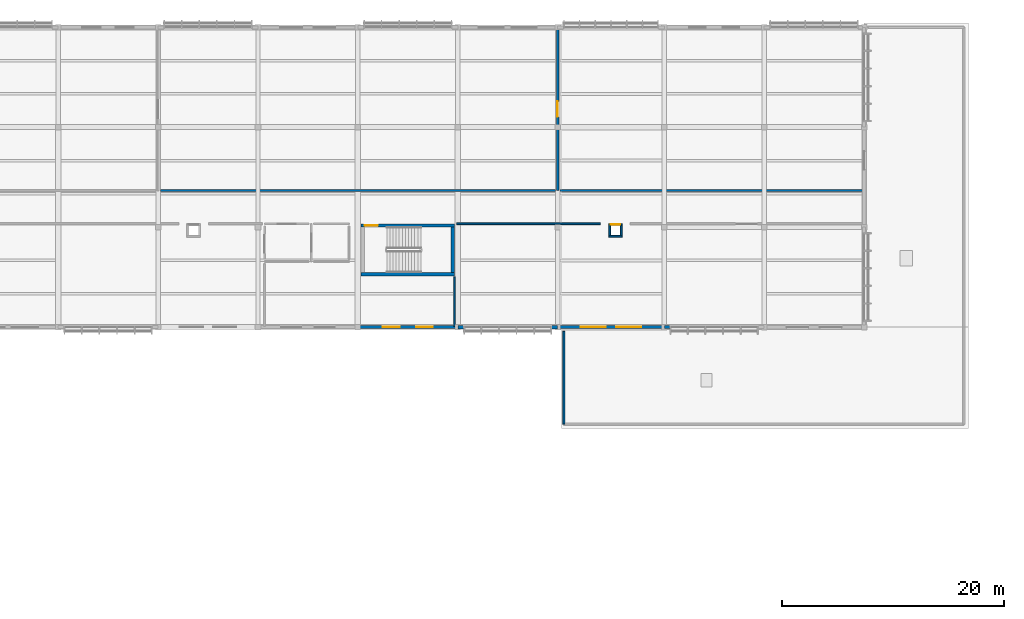
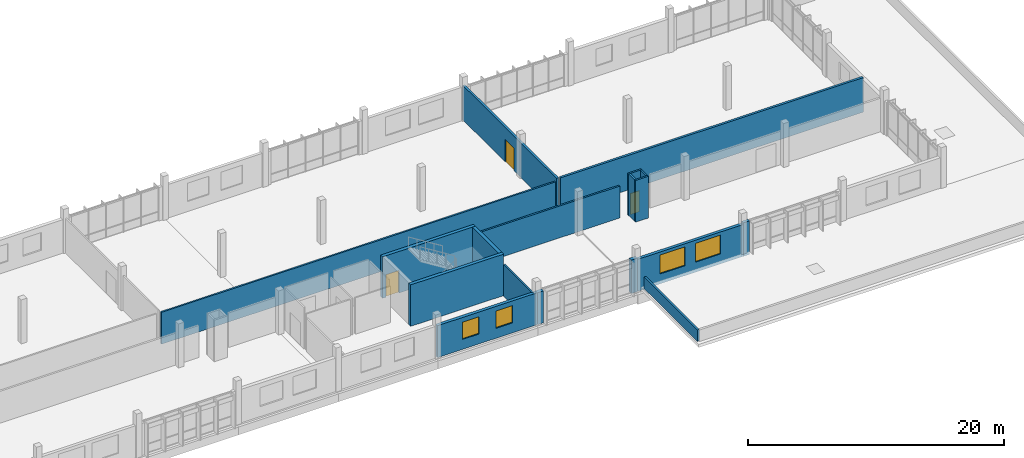
# One storey, part 95 of 107: 18 walls, 4 windows, 3 doors, 7 openings.
"""IFC4 building model written with IfcOpenShell, lengths in metres."""

from ifc_helpers import new_model, si_unit, direction, frame, frame_2d, origin, place, context, subcontext, project, spatial, rectangle, extrude, material, layer, layer_set, type_object, element, fill, save


model = new_model("IFC4")

# Units and contexts
model_context = context("Model", 3, precision=1e-05, world=origin(), true_north=direction((0.0, 1.0)))
body_context = subcontext(model_context, "Body", "Model", "MODEL_VIEW")
ifc_project = project(units=[si_unit("LENGTHUNIT", "METRE"), si_unit("AREAUNIT", "SQUARE_METRE"), si_unit("VOLUMEUNIT", "CUBIC_METRE"), si_unit("PLANEANGLEUNIT", "RADIAN"), si_unit("MASSUNIT", "GRAM", prefix="KILO")], contexts=[model_context])

# Site, building, storey
site_placement = place(None, origin())
site = spatial("IfcSite", under=ifc_project, at=site_placement, CompositionType="ELEMENT")
building_placement = place(site_placement, origin())
building = spatial("IfcBuilding", under=site, at=building_placement, Name="Chiffa Square Polytechnic", CompositionType="ELEMENT")
storey_placement = place(building_placement, frame((0.0, 0.0, 13.800048828125)))
storey = spatial("IfcBuildingStorey", under=building, at=storey_placement, Name="L03", CompositionType="ELEMENT", Elevation=13.800048828125)

# Wall
ifc_material_1 = material(Name="Concrete C40/50", Category="concrete")
ifc_layer_1 = layer(ifc_material_1, 0.300048828125, Name="Concrete C40/50")
ifc_layer_set_1 = layer_set([ifc_layer_1], Name="Concrete C40/50")
wall_type_1 = type_object("IfcWallType", Name="WL-CORE-300", PredefinedType="SHEAR", material=ifc_layer_set_1)
wall_1_placement = place(storey_placement, frame((93.89990234375, 108.550048828125, 0.0), z_axis=(0.0, 0.0, 1.0), x_axis=(1.0, 0.0, 0.0)))
element("IfcWall", 1, at=wall_1_placement, inside=storey, type_object=wall_type_1, Name="Core or enclosure wall WC-CORE-V5B-L03-SOUTH", PredefinedType="SHEAR", context=body_context, shape_type="SweptSolid", body=[
    extrude(rectangle(XDim=8.400146484375, YDim=0.300048828125, at=frame_2d((4.2001953125, 0.0))), origin(), (0.0, 0.0, 1.0), 3.9599609375),
])

# Wall, opening, door
wall_2_placement = place(storey_placement, frame((93.89990234375, 112.949951171875, 0.0), z_axis=(0.0, 0.0, 1.0), x_axis=(1.0, 0.0, 0.0)))
wall_2 = element("IfcWall", 2, at=wall_2_placement, inside=storey, type_object=wall_type_1, Name="Core or enclosure wall WC-CORE-V5B-L03-NORTH", PredefinedType="SHEAR", context=body_context, shape_type="SweptSolid", body=[
    extrude(rectangle(XDim=8.400146484375, YDim=0.300048828125, at=frame_2d((4.2001953125, 0.0))), origin(), (0.0, 0.0, 1.0), 3.9599609375),
])
opening_1_placement = place(wall_2_placement, frame((0.300048828125, 0.0, 0.0)))
opening_1 = element("IfcOpeningElement", 3, at=opening_1_placement, cuts=wall_2, Name="Opening DS-L03-041", PredefinedType="OPENING", context=body_context, shape_type="SweptSolid", body=[
    extrude(rectangle(XDim=1.199951171875, YDim=2.14990234375, at=frame_2d((0.60009765625, 1.074951171875))), frame((0.0, 0.16015625, 0.0), z_axis=(0.0, -1.0, 0.0), x_axis=(1.0, 0.0, 0.0)), (0.0, 0.0, 1.0), 0.320068359375),
])
ifc_material_2 = material(Name="Fire-rated painted steel leaf", Category="steel")
door_type_1 = type_object("IfcDoorType", Name="DR-STAIR-1200", OperationType="NOTDEFINED", PredefinedType="DOOR", material=ifc_material_2)
door_1_placement = place(opening_1_placement, origin())
door_1 = element("IfcDoor", 4, at=door_1_placement, inside=storey, type_object=door_type_1, Name="Enclosure door DS-L03-041", OperationType="SINGLE_SWING_LEFT", OverallHeight=2.14990234375, OverallWidth=1.199951171875, PredefinedType="DOOR", context=body_context, shape_type="SweptSolid", body=[
    extrude(rectangle(XDim=1.199951171875, YDim=2.14990234375, at=frame_2d((0.60009765625, 1.074951171875))), frame((0.0, 0.02490234375, 0.0), z_axis=(0.0, -1.0, 0.0), x_axis=(1.0, 0.0, 0.0)), (0.0, 0.0, 1.0), 0.050048828125),
])
fill(opening_1, door_1)

# Wall
wall_3_placement = place(storey_placement, frame((102.14990234375, 108.699951171875, 0.0), z_axis=(0.0, 0.0, 1.0), x_axis=(0.0, 1.0, 0.0)))
element("IfcWall", 5, at=wall_3_placement, inside=storey, type_object=wall_type_1, Name="Core or enclosure wall WC-CORE-V5B-L03-EAST", PredefinedType="SHEAR", context=body_context, shape_type="SweptSolid", body=[
    extrude(rectangle(XDim=4.10009765625, YDim=0.300048828125, at=frame_2d((2.050048828125, 0.0))), origin(), (0.0, 0.0, 1.0), 3.9599609375),
])

# Wall, openings, windows
ifc_material_3 = material(Name="Precast concrete C40/50", Category="concrete")
ifc_layer_2 = layer(ifc_material_3, 0.260009765625, Name="Precast concrete C40/50")
ifc_layer_set_2 = layer_set([ifc_layer_2], Name="Precast concrete C40/50")
wall_type_2 = type_object("IfcWallType", Name="WL-EXT-PC260", PredefinedType="SOLIDWALL", material=ifc_layer_set_2)
wall_4_placement = place(storey_placement, frame((111.60009765625, 103.800048828125, 0.0), z_axis=(0.0, 0.0, 1.0), x_axis=(1.0, 0.0, 0.0)))
wall_4 = element("IfcWall", 6, at=wall_4_placement, inside=storey, type_object=wall_type_2, Name="Exterior wall WE-V5-L03-0337", PredefinedType="SOLIDWALL", context=body_context, shape_type="SweptSolid", body=[
    extrude(rectangle(XDim=9.599853515625, YDim=0.260009765625, at=frame_2d((4.7998046875, 0.0))), origin(), (0.0, 0.0, 1.0), 3.044921875),
])
opening_2_placement = place(wall_4_placement, frame((2.074951171875, 0.0, 0.949951171875)))
opening_2 = element("IfcOpeningElement", 7, at=opening_2_placement, cuts=wall_4, Name="Opening W-02", PredefinedType="OPENING", context=body_context, shape_type="SweptSolid", body=[
    extrude(rectangle(XDim=2.25, YDim=1.800048828125, at=frame_2d((1.125, 0.89990234375))), frame((0.0, 0.14013671875, 0.0), z_axis=(0.0, -1.0, 0.0), x_axis=(1.0, 0.0, 0.0)), (0.0, 0.0, 1.0), 0.280029296875),
])
opening_3_placement = place(wall_4_placement, frame((5.27490234375, 0.0, 0.949951171875)))
opening_3 = element("IfcOpeningElement", 8, at=opening_3_placement, cuts=wall_4, Name="Opening W-02", PredefinedType="OPENING", context=body_context, shape_type="SweptSolid", body=[
    extrude(rectangle(XDim=2.25, YDim=1.800048828125, at=frame_2d((1.125, 0.89990234375))), frame((0.0, 0.14013671875, 0.0), z_axis=(0.0, -1.0, 0.0), x_axis=(1.0, 0.0, 0.0)), (0.0, 0.0, 1.0), 0.280029296875),
])
ifc_material_4 = material(Name="Double glazing in thermally broken aluminium frame", Category="aluminium")
window_type_1 = type_object("IfcWindowType", Name="WIN-LAB-2250X1800", PartitioningType="DOUBLE_PANEL_VERTICAL", PredefinedType="WINDOW", material=ifc_material_4)
window_1_placement = place(opening_2_placement, origin())
window_1 = element("IfcWindow", 9, at=window_1_placement, inside=storey, type_object=window_type_1, Name="Facade window WN-L03-0232", OverallHeight=1.800048828125, OverallWidth=2.25, PartitioningType="DOUBLE_PANEL_VERTICAL", PredefinedType="WINDOW", context=body_context, shape_type="SweptSolid", body=[
    extrude(rectangle(XDim=2.25, YDim=1.800048828125, at=frame_2d((1.125, 0.89990234375))), frame((0.0, 0.030029296875, 0.0), z_axis=(0.0, -1.0, 0.0), x_axis=(1.0, 0.0, 0.0)), (0.0, 0.0, 1.0), 0.06005859375),
])
fill(opening_2, window_1)
window_2_placement = place(opening_3_placement, origin())
window_2 = element("IfcWindow", 10, at=window_2_placement, inside=storey, type_object=window_type_1, Name="Facade window WN-L03-0233", OverallHeight=1.800048828125, OverallWidth=2.25, PartitioningType="DOUBLE_PANEL_VERTICAL", PredefinedType="WINDOW", context=body_context, shape_type="SweptSolid", body=[
    extrude(rectangle(XDim=2.25, YDim=1.800048828125, at=frame_2d((1.125, 0.89990234375))), frame((0.0, 0.030029296875, 0.0), z_axis=(0.0, -1.0, 0.0), x_axis=(1.0, 0.0, 0.0)), (0.0, 0.0, 1.0), 0.06005859375),
])
fill(opening_3, window_2)

ifc_layer_3 = layer(ifc_material_3, 0.280029296875, Name="Precast concrete C40/50")
ifc_layer_set_3 = layer_set([ifc_layer_3], Name="Precast concrete C40/50")
wall_type_3 = type_object("IfcWallType", Name="WL-EXT-PC280", PredefinedType="SOLIDWALL", material=ifc_layer_set_3)
wall_5_placement = place(storey_placement, frame((93.60009765625, 103.800048828125, 0.0), z_axis=(0.0, 0.0, 1.0), x_axis=(1.0, 0.0, 0.0)))
wall_5 = element("IfcWall", 11, at=wall_5_placement, inside=storey, type_object=wall_type_3, Name="Exterior wall WE-V5-L03-0335", PredefinedType="SOLIDWALL", context=body_context, shape_type="SweptSolid", body=[
    extrude(rectangle(XDim=9.0, YDim=0.280029296875, at=frame_2d((4.5, 0.0))), origin(), (0.0, 0.0, 1.0), 3.044921875),
])
opening_4_placement = place(wall_5_placement, frame((2.25, 0.0, 0.949951171875)))
opening_4 = element("IfcOpeningElement", 12, at=opening_4_placement, cuts=wall_5, Name="Opening W-07", PredefinedType="OPENING", context=body_context, shape_type="SweptSolid", body=[
    extrude(rectangle(XDim=1.5, YDim=1.64990234375, at=frame_2d((0.75, 0.824951171875))), frame((0.0, 0.14990234375, 0.0), z_axis=(0.0, -1.0, 0.0), x_axis=(1.0, 0.0, 0.0)), (0.0, 0.0, 1.0), 0.300048828125),
])
opening_5_placement = place(wall_5_placement, frame((5.25, 0.0, 0.949951171875)))
opening_5 = element("IfcOpeningElement", 13, at=opening_5_placement, cuts=wall_5, Name="Opening W-07", PredefinedType="OPENING", context=body_context, shape_type="SweptSolid", body=[
    extrude(rectangle(XDim=1.5, YDim=1.64990234375, at=frame_2d((0.75, 0.824951171875))), frame((0.0, 0.14990234375, 0.0), z_axis=(0.0, -1.0, 0.0), x_axis=(1.0, 0.0, 0.0)), (0.0, 0.0, 1.0), 0.300048828125),
])
window_type_2 = type_object("IfcWindowType", Name="WIN-LAB-1500X1650", PartitioningType="DOUBLE_PANEL_VERTICAL", PredefinedType="WINDOW", material=ifc_material_4)
window_3_placement = place(opening_4_placement, origin())
window_3 = element("IfcWindow", 14, at=window_3_placement, inside=storey, type_object=window_type_2, Name="Facade window WN-L03-0230", OverallHeight=1.64990234375, OverallWidth=1.5, PartitioningType="DOUBLE_PANEL_VERTICAL", PredefinedType="WINDOW", context=body_context, shape_type="SweptSolid", body=[
    extrude(rectangle(XDim=1.5, YDim=1.64990234375, at=frame_2d((0.75, 0.824951171875))), frame((0.0, 0.030029296875, 0.0), z_axis=(0.0, -1.0, 0.0), x_axis=(1.0, 0.0, 0.0)), (0.0, 0.0, 1.0), 0.06005859375),
])
fill(opening_4, window_3)
window_4_placement = place(opening_5_placement, origin())
window_4 = element("IfcWindow", 15, at=window_4_placement, inside=storey, type_object=window_type_2, Name="Facade window WN-L03-0231", OverallHeight=1.64990234375, OverallWidth=1.5, PartitioningType="DOUBLE_PANEL_VERTICAL", PredefinedType="WINDOW", context=body_context, shape_type="SweptSolid", body=[
    extrude(rectangle(XDim=1.5, YDim=1.64990234375, at=frame_2d((0.75, 0.824951171875))), frame((0.0, 0.030029296875, 0.0), z_axis=(0.0, -1.0, 0.0), x_axis=(1.0, 0.0, 0.0)), (0.0, 0.0, 1.0), 0.06005859375),
])
fill(opening_5, window_4)

# Walls
wall_6_placement = place(storey_placement, frame((121.199951171875, 103.800048828125, 0.0), z_axis=(0.0, 0.0, 1.0), x_axis=(1.0, 0.0, 0.0)))
element("IfcWall", 16, at=wall_6_placement, inside=storey, type_object=wall_type_3, Name="Facade column pier V5-L03-0338L", PredefinedType="SOLIDWALL", context=body_context, shape_type="SweptSolid", body=[
    extrude(rectangle(XDim=0.5400390625, YDim=0.280029296875, at=frame_2d((0.27001953125, 0.0))), origin(), (0.0, 0.0, 1.0), 3.195068359375),
])
ifc_layer_4 = layer(ifc_material_3, 0.320068359375, Name="Precast concrete C40/50")
ifc_layer_set_4 = layer_set([ifc_layer_4], Name="Precast concrete C40/50")
wall_type_4 = type_object("IfcWallType", Name="WL-EXT-PC320", PredefinedType="SOLIDWALL", material=ifc_layer_set_4)
wall_7_placement = place(storey_placement, frame((102.60009765625, 103.800048828125, 0.0), z_axis=(0.0, 0.0, 1.0), x_axis=(1.0, 0.0, 0.0)))
element("IfcWall", 17, at=wall_7_placement, inside=storey, type_object=wall_type_4, Name="Facade column pier V5-L03-0336L", PredefinedType="SOLIDWALL", context=body_context, shape_type="SweptSolid", body=[
    extrude(rectangle(XDim=0.539794921875, YDim=0.320068359375, at=frame_2d((0.27001953125, 0.0))), origin(), (0.0, 0.0, 1.0), 3.044921875),
])
wall_8_placement = place(storey_placement, frame((111.06005859375, 103.800048828125, 0.0), z_axis=(0.0, 0.0, 1.0), x_axis=(1.0, 0.0, 0.0)))
element("IfcWall", 18, at=wall_8_placement, inside=storey, type_object=wall_type_4, Name="Facade column pier V5-L03-0336R", PredefinedType="SOLIDWALL", context=body_context, shape_type="SweptSolid", body=[
    extrude(rectangle(XDim=0.5400390625, YDim=0.320068359375, at=frame_2d((0.27001953125, 0.0))), origin(), (0.0, 0.0, 1.0), 3.195068359375),
])
ifc_layer_5 = layer(ifc_material_3, 0.179931640625, Name="Precast concrete C40/50")
ifc_layer_set_5 = layer_set([ifc_layer_5], Name="Precast concrete C40/50")
wall_type_5 = type_object("IfcWallType", Name="WL-PAR-180", PredefinedType="PARAPET", material=ifc_layer_set_5)
wall_9_placement = place(storey_placement, frame((112.14990234375, 103.39990234375, 0.300048828125), z_axis=(0.0, 0.0, 1.0), x_axis=(0.0, -1.0, 0.0)))
element("IfcWall", 19, at=wall_9_placement, inside=storey, type_object=wall_type_5, Name="Roof parapet PRP-V5-SE-1", PredefinedType="PARAPET", context=body_context, shape_type="SweptSolid", body=[
    extrude(rectangle(XDim=8.349853515625, YDim=0.179931640625, at=frame_2d((4.1748046875, 0.0))), origin(), (0.0, 0.0, 1.0), 1.099853515625),
])
ifc_material_5 = material(Name="Gypsum board on steel stud", Category="steel")
ifc_layer_6 = layer(ifc_material_5, 0.135009765625, Name="Gypsum board on steel stud")
ifc_layer_set_6 = layer_set([ifc_layer_6], Name="Gypsum board on steel stud")
wall_type_6 = type_object("IfcWallType", Name="WL-PART-135", PredefinedType="PARTITIONING", material=ifc_layer_set_6)
wall_10_placement = place(storey_placement, frame((102.300048828125, 103.85498046875, 0.0), z_axis=(0.0, 0.0, 1.0), x_axis=(0.0, 1.0, 0.0)))
element("IfcWall", 20, at=wall_10_placement, inside=storey, type_object=wall_type_6, Name="Interior partition WP-V5-L03-0565", PredefinedType="PARTITIONING", context=body_context, shape_type="SweptSolid", body=[
    extrude(rectangle(XDim=4.455078125, YDim=0.135009765625, at=frame_2d((2.2275390625, 0.0))), origin(), (0.0, 0.0, 1.0), 3.044921875),
])
ifc_layer_7 = layer(ifc_material_5, 0.14501953125, Name="Gypsum board on steel stud")
ifc_layer_set_7 = layer_set([ifc_layer_7], Name="Gypsum board on steel stud")
wall_type_7 = type_object("IfcWallType", Name="WL-PART-145", PredefinedType="PARTITIONING", material=ifc_layer_set_7)
wall_11_placement = place(storey_placement, frame((75.820068359375, 116.10009765625, 0.0), z_axis=(0.0, 0.0, 1.0), x_axis=(1.0, 0.0, 0.0)))
element("IfcWall", 21, at=wall_11_placement, inside=storey, type_object=wall_type_7, Name="Interior partition WP-V5-L03-0585", PredefinedType="PARTITIONING", context=body_context, shape_type="SweptSolid", body=[
    extrude(rectangle(XDim=35.559814453125, YDim=0.14501953125, at=frame_2d((17.77978515625, 0.0))), origin(), (0.0, 0.0, 1.0), 3.044921875),
])

# Wall, opening, door
ifc_material_6 = material(Name="Autoclaved aerated concrete blockwork", Category="masonry")
ifc_layer_8 = layer(ifc_material_6, 0.199951171875, Name="Autoclaved aerated concrete blockwork")
ifc_layer_set_8 = layer_set([ifc_layer_8], Name="Autoclaved aerated concrete blockwork")
wall_type_8 = type_object("IfcWallType", Name="WL-PART-EI120-200", PredefinedType="PARTITIONING", material=ifc_layer_set_8)
wall_12_placement = place(storey_placement, frame((111.60009765625, 116.10009765625, 0.0), z_axis=(0.0, 0.0, 1.0), x_axis=(0.0, 1.0, 0.0)))
wall_12 = element("IfcWall", 22, at=wall_12_placement, inside=storey, type_object=wall_type_8, Name="Interior partition WP-V5-L03-0566", PredefinedType="PARTITIONING", context=body_context, shape_type="SweptSolid", body=[
    extrude(rectangle(XDim=14.64501953125, YDim=0.199951171875, at=frame_2d((7.322509765625, 0.0))), origin(), (0.0, 0.0, 1.0), 3.294921875),
])
opening_6_placement = place(wall_12_placement, frame((6.623046875, 0.0, 0.0)))
opening_6 = element("IfcOpeningElement", 23, at=opening_6_placement, cuts=wall_12, Name="Opening DI-L03-208", PredefinedType="OPENING", context=body_context, shape_type="SweptSolid", body=[
    extrude(rectangle(XDim=1.39990234375, YDim=2.14990234375, at=frame_2d((0.699951171875, 1.074951171875))), frame((0.0, 0.10986328125, 0.0), z_axis=(0.0, -1.0, 0.0), x_axis=(1.0, 0.0, 0.0)), (0.0, 0.0, 1.0), 0.219970703125),
])
ifc_material_7 = material(Name="Louvred painted steel plant door", Category="steel")
door_type_2 = type_object("IfcDoorType", Name="DR-PLANT-1400", OperationType="DOUBLE_DOOR_SINGLE_SWING", PredefinedType="DOOR", material=ifc_material_7)
door_2_placement = place(opening_6_placement, origin())
door_2 = element("IfcDoor", 24, at=door_2_placement, inside=storey, type_object=door_type_2, Name="Interior room door DI-L03-208", OperationType="DOUBLE_DOOR_SINGLE_SWING", OverallHeight=2.14990234375, OverallWidth=1.39990234375, PredefinedType="DOOR", context=body_context, shape_type="SweptSolid", body=[
    extrude(rectangle(XDim=1.39990234375, YDim=2.14990234375, at=frame_2d((0.699951171875, 1.074951171875))), frame((0.0, 0.02490234375, 0.0), z_axis=(0.0, -1.0, 0.0), x_axis=(1.0, 0.0, 0.0)), (0.0, 0.0, 1.0), 0.050048828125),
])
fill(opening_6, door_2)

# Walls
wall_13_placement = place(storey_placement, frame((111.820068359375, 116.10009765625, 0.0), z_axis=(0.0, 0.0, 1.0), x_axis=(1.0, 0.0, 0.0)))
element("IfcWall", 25, at=wall_13_placement, inside=storey, type_object=wall_type_8, Name="Interior partition WP-V5-L03-0567", PredefinedType="PARTITIONING", context=body_context, shape_type="SweptSolid", body=[
    extrude(rectangle(XDim=27.324951171875, YDim=0.199951171875, at=frame_2d((13.66259765625, 0.0))), origin(), (0.0, 0.0, 1.0), 3.294921875),
])
ifc_material_8 = material(Name="Gypsum board on acoustic steel stud", Category="steel")
ifc_layer_9 = layer(ifc_material_8, 0.159912109375, Name="Gypsum board on acoustic steel stud")
ifc_layer_set_9 = layer_set([ifc_layer_9], Name="Gypsum board on acoustic steel stud")
wall_type_9 = type_object("IfcWallType", Name="WL-PART-EI60-160", PredefinedType="PARTITIONING", material=ifc_layer_set_9)
wall_14_placement = place(storey_placement, frame((116.199951171875, 111.97998046875, 0.0), z_axis=(0.0, 0.0, 1.0), x_axis=(1.0, 0.0, 0.0)))
element("IfcWall", 26, at=wall_14_placement, inside=storey, type_object=wall_type_9, Name="Core or enclosure wall WP-RSR-V5-E-L03-SOUTH", PredefinedType="PARTITIONING", context=body_context, shape_type="SweptSolid", body=[
    extrude(rectangle(XDim=1.199951171875, YDim=0.159912109375, at=frame_2d((0.60009765625, 0.0))), origin(), (0.0, 0.0, 1.0), 3.97998046875),
])

# Wall, opening, door
wall_15_placement = place(storey_placement, frame((116.199951171875, 113.02001953125, 0.0), z_axis=(0.0, 0.0, 1.0), x_axis=(1.0, 0.0, 0.0)))
wall_15 = element("IfcWall", 27, at=wall_15_placement, inside=storey, type_object=wall_type_9, Name="Core or enclosure wall WP-RSR-V5-E-L03-NORTH", PredefinedType="PARTITIONING", context=body_context, shape_type="SweptSolid", body=[
    extrude(rectangle(XDim=1.199951171875, YDim=0.159912109375, at=frame_2d((0.60009765625, 0.0))), origin(), (0.0, 0.0, 1.0), 3.97998046875),
])
opening_7_placement = place(wall_15_placement, frame((0.175048828125, 0.0, 0.0)))
opening_7 = element("IfcOpeningElement", 28, at=opening_7_placement, cuts=wall_15, Name="Opening DI-L03-R17", PredefinedType="OPENING", context=body_context, shape_type="SweptSolid", body=[
    extrude(rectangle(XDim=0.85009765625, YDim=2.02001953125, at=frame_2d((0.425048828125, 1.010009765625))), frame((0.0, 0.08984375, 0.0), z_axis=(0.0, -1.0, 0.0), x_axis=(1.0, 0.0, 0.0)), (0.0, 0.0, 1.0), 0.179931640625),
])
ifc_material_9 = material(Name="Fire-rated steel riser access door", Category="steel")
door_type_3 = type_object("IfcDoorType", Name="DR-RISER-850", OperationType="NOTDEFINED", PredefinedType="DOOR", material=ifc_material_9)
door_3_placement = place(opening_7_placement, origin())
door_3 = element("IfcDoor", 29, at=door_3_placement, inside=storey, type_object=door_type_3, Name="Enclosure door DI-L03-R17", OperationType="SINGLE_SWING_LEFT", OverallHeight=2.02001953125, OverallWidth=0.85009765625, PredefinedType="DOOR", context=body_context, shape_type="SweptSolid", body=[
    extrude(rectangle(XDim=0.85009765625, YDim=2.02001953125, at=frame_2d((0.425048828125, 1.010009765625))), frame((0.0, 0.02490234375, 0.0), z_axis=(0.0, -1.0, 0.0), x_axis=(1.0, 0.0, 0.0)), (0.0, 0.0, 1.0), 0.050048828125),
])
fill(opening_7, door_3)

# Walls
for number, where, z_axis, x_axis, name in (
    (30, (116.280029296875, 112.06005859375, 0.0), (0.0, 0.0, 1.0), (0.0, 1.0, 0.0), "Core or enclosure wall WP-RSR-V5-E-L03-WEST"),
    (31, (117.320068359375, 112.06005859375, 0.0), (0.0, 0.0, 1.0), (0.0, 1.0, 0.0), "Core or enclosure wall WP-RSR-V5-E-L03-EAST"),
):
    element("IfcWall", number, at=place(storey_placement, frame(where, z_axis=z_axis, x_axis=x_axis)), inside=storey, type_object=wall_type_9, Name=name, PredefinedType="PARTITIONING", context=body_context, shape_type="SweptSolid", body=[
        extrude(rectangle(XDim=0.8798828125, YDim=0.159912109375, at=frame_2d((0.43994140625, 0.0))), origin(), (0.0, 0.0, 1.0), 3.97998046875),
    ])
wall_16_placement = place(storey_placement, frame((102.487060546875, 113.10009765625, 0.0), z_axis=(0.0, 0.0, 1.0), x_axis=(1.0, 0.0, 0.0)))
element("IfcWall", 32, at=wall_16_placement, inside=storey, type_object=wall_type_9, Name="Interior partition WP-V5-L03-0564", PredefinedType="PARTITIONING", context=body_context, shape_type="SweptSolid", body=[
    extrude(rectangle(XDim=12.967041015625, YDim=0.159912109375, at=frame_2d((6.4833984375, 0.0))), origin(), (0.0, 0.0, 1.0), 3.044921875),
])

save(model, "model.ifc")
